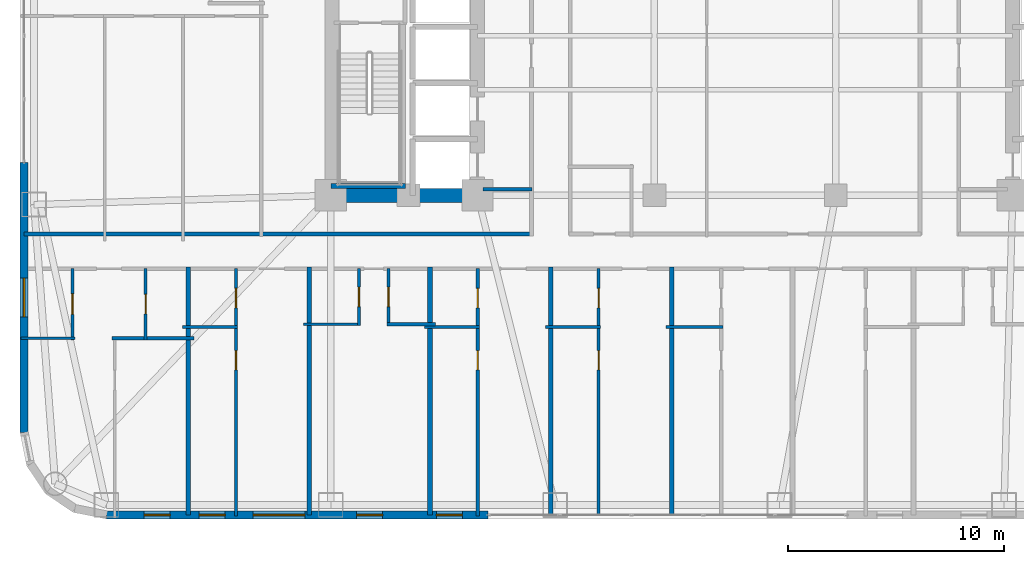
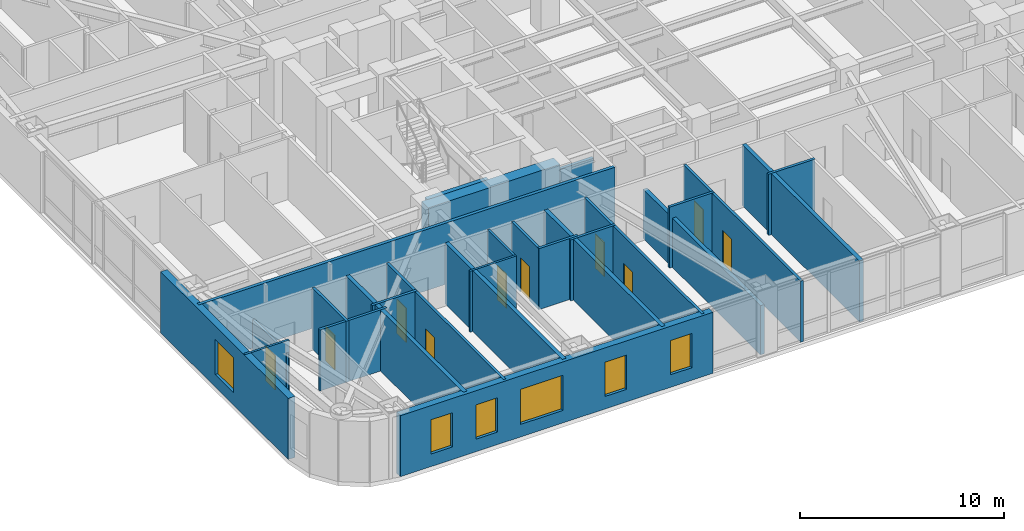
# One storey, part 20 of 28: 29 walls, 10 doors, 6 windows, 16 openings.
"""IFC4 building model written with IfcOpenShell, lengths in metres."""

from ifc_helpers import new_model, si_unit, direction, frame, frame_2d, origin, place, context, subcontext, project, spatial, rectangle, extrude, material, layer, layer_set, type_object, element, fill, save


model = new_model("IFC4")

# Units and contexts
model_context = context("Model", 3, precision=1e-05, world=origin(), true_north=direction((0.0, 1.0)))
body_context = subcontext(model_context, "Body", "Model", "MODEL_VIEW")
ifc_project = project(units=[si_unit("LENGTHUNIT", "METRE"), si_unit("AREAUNIT", "SQUARE_METRE"), si_unit("VOLUMEUNIT", "CUBIC_METRE"), si_unit("PLANEANGLEUNIT", "RADIAN"), si_unit("MASSUNIT", "GRAM", prefix="KILO")], contexts=[model_context])

# Site, building, storey
site_placement = place(None, origin())
site = spatial("IfcSite", under=ifc_project, at=site_placement, CompositionType="ELEMENT")
building_placement = place(site_placement, origin())
building = spatial("IfcBuilding", under=site, at=building_placement, Name="Voryun Gate Residences", CompositionType="ELEMENT")
storey_placement = place(building_placement, frame((0.0, 0.0, 61.10009765625)))
storey = spatial("IfcBuildingStorey", under=building, at=storey_placement, Name="L14", CompositionType="ELEMENT", Elevation=61.10009765625)

# Walls
ifc_material_1 = material(Name="Concrete C60/75", Category="concrete")
ifc_layer_1 = layer(ifc_material_1, 0.64990234375, Name="CW_CORE_650")
ifc_layer_set_1 = layer_set([ifc_layer_1], Name="Concrete C60/75")
wall_type_1 = type_object("IfcWallType", Name="CW_CORE_650", PredefinedType="SHEAR", material=ifc_layer_set_1)
wall_1_placement = place(storey_placement, frame((-19.52490234375, -7.39990234375, 0.0), z_axis=(0.0, 0.0, 1.0), x_axis=(1.0, 0.0, 0.0)))
element("IfcWall", 1, at=wall_1_placement, inside=storey, type_object=wall_type_1, Name="L14 Core shear wall CW-L14-WS", PredefinedType="SHEAR", context=body_context, shape_type="SweptSolid", body=[
    extrude(rectangle(XDim=7.449951171875, YDim=0.64990234375, at=frame_2d((3.72509765625, 0.0))), origin(), (0.0, 0.0, 1.0), 3.64990234375),
])
ifc_material_2 = material(Name="Gypsum acoustic fireboard")
ifc_layer_2 = layer(ifc_material_2, 0.179931640625, Name="W_CORR_RATED_180")
ifc_layer_set_2 = layer_set([ifc_layer_2], Name="Gypsum acoustic fireboard")
wall_type_2 = type_object("IfcWallType", Name="W_CORR_RATED_180", PredefinedType="PARTITIONING", material=ifc_layer_set_2)
wall_2_placement = place(storey_placement, frame((-12.14990234375, -7.1201171875, 0.0), z_axis=(0.0, 0.0, 1.0), x_axis=(1.0, 0.0, 0.0)))
element("IfcWall", 2, at=wall_2_placement, inside=storey, type_object=wall_type_2, Name="Partition wall WP-L14-PLBS-W", PredefinedType="PARTITIONING", context=body_context, shape_type="SweptSolid", body=[
    extrude(rectangle(XDim=2.27001953125, YDim=0.179931640625, at=frame_2d((1.135009765625, 0.0))), origin(), (0.0, 0.0, 1.0), 2.93994140625),
])
wall_3_placement = place(storey_placement, frame((-33.409912109375, -9.18994140625, 0.0), z_axis=(0.0, 0.0, 1.0), x_axis=(1.0, 0.0, 0.0)))
element("IfcWall", 3, at=wall_3_placement, inside=storey, type_object=wall_type_2, Name="Partition wall WP-L14-CWING-WS", PredefinedType="PARTITIONING", context=body_context, shape_type="SweptSolid", body=[
    extrude(rectangle(XDim=23.530029296875, YDim=0.179931640625, at=frame_2d((11.76513671875, 0.0))), origin(), (0.0, 0.0, 1.0), 3.64990234375),
])

# Wall, openings, windows
ifc_material_3 = material(Name="Granite masonry", Category="masonry")
ifc_layer_3 = layer(ifc_material_3, 0.3798828125, Name="W_EXT_GRANITE_380")
ifc_layer_set_3 = layer_set([ifc_layer_3], Name="Granite masonry")
wall_type_3 = type_object("IfcWallType", Name="W_EXT_GRANITE_380", PredefinedType="ELEMENTEDWALL", material=ifc_layer_set_3)
wall_4_placement = place(storey_placement, frame((-11.9140625, -22.2099609375, 0.0), z_axis=(0.0, 0.0, 1.0), x_axis=(-1.0, 0.0, 0.0)))
wall_4 = element("IfcWall", 4, at=wall_4_placement, inside=storey, type_object=wall_type_3, Name="Exterior wall WEXT-L14-01B", PredefinedType="ELEMENTEDWALL", context=body_context, shape_type="SweptSolid", body=[
    extrude(rectangle(XDim=17.667236328125, YDim=0.3798828125, at=frame_2d((8.83349609375, 0.0))), origin(), (0.0, 0.0, 1.0), 3.64990234375),
])
opening_1_placement = place(wall_4_placement, frame((8.483642578125, 0.0, 0.75)))
opening_1 = element("IfcOpeningElement", 5, at=opening_1_placement, cuts=wall_4, Name="Opening WN2", PredefinedType="OPENING", context=body_context, shape_type="SweptSolid", body=[
    extrude(rectangle(XDim=2.39990234375, YDim=2.10009765625, at=frame_2d((1.199951171875, 1.050048828125))), frame((0.0, 0.199951171875, 0.0), z_axis=(0.0, -1.0, 0.0), x_axis=(1.0, 0.0, 0.0)), (0.0, 0.0, 1.0), 0.39990234375),
])
opening_2_placement = place(wall_4_placement, frame((14.731689453125, 0.0, 0.75)))
opening_2 = element("IfcOpeningElement", 6, at=opening_2_placement, cuts=wall_4, Name="Opening WN6", PredefinedType="OPENING", context=body_context, shape_type="SweptSolid", body=[
    extrude(rectangle(XDim=1.199951171875, YDim=2.050048828125, at=frame_2d((0.60009765625, 1.02490234375))), frame((0.0, 0.199951171875, 0.0), z_axis=(0.0, -1.0, 0.0), x_axis=(1.0, 0.0, 0.0)), (0.0, 0.0, 1.0), 0.39990234375),
])
opening_3_placement = place(wall_4_placement, frame((12.180908203125, 0.0, 0.75)))
opening_3 = element("IfcOpeningElement", 7, at=opening_3_placement, cuts=wall_4, Name="Opening WN6", PredefinedType="OPENING", context=body_context, shape_type="SweptSolid", body=[
    extrude(rectangle(XDim=1.199951171875, YDim=2.050048828125, at=frame_2d((0.60009765625, 1.02490234375))), frame((0.0, 0.199951171875, 0.0), z_axis=(0.0, -1.0, 0.0), x_axis=(1.0, 0.0, 0.0)), (0.0, 0.0, 1.0), 0.39990234375),
])
opening_4_placement = place(wall_4_placement, frame((4.885986328125, 0.0, 0.75)))
opening_4 = element("IfcOpeningElement", 8, at=opening_4_placement, cuts=wall_4, Name="Opening WN6", PredefinedType="OPENING", context=body_context, shape_type="SweptSolid", body=[
    extrude(rectangle(XDim=1.199951171875, YDim=2.050048828125, at=frame_2d((0.60009765625, 1.02490234375))), frame((0.0, 0.199951171875, 0.0), z_axis=(0.0, -1.0, 0.0), x_axis=(1.0, 0.0, 0.0)), (0.0, 0.0, 1.0), 0.39990234375),
])
opening_5_placement = place(wall_4_placement, frame((1.18798828125, 0.0, 0.75)))
opening_5 = element("IfcOpeningElement", 9, at=opening_5_placement, cuts=wall_4, Name="Opening WN6", PredefinedType="OPENING", context=body_context, shape_type="SweptSolid", body=[
    extrude(rectangle(XDim=1.199951171875, YDim=2.050048828125, at=frame_2d((0.60009765625, 1.02490234375))), frame((0.0, 0.199951171875, 0.0), z_axis=(0.0, -1.0, 0.0), x_axis=(1.0, 0.0, 0.0)), (0.0, 0.0, 1.0), 0.39990234375),
])
ifc_material_4 = material(Name="Laminated low-E glass", Category="glass")
window_type_1 = type_object("IfcWindowType", Name="WN_POD_SLOT_1200", PartitioningType="SINGLE_PANEL", PredefinedType="WINDOW", material=ifc_material_4)
window_1_placement = place(opening_2_placement, origin())
window_1 = element("IfcWindow", 10, at=window_1_placement, inside=storey, type_object=window_type_1, Name="Window WN-L14-DWFIX-12", OverallHeight=2.050048828125, OverallWidth=1.199951171875, PartitioningType="SINGLE_PANEL", PredefinedType="WINDOW", context=body_context, shape_type="SweptSolid", body=[
    extrude(rectangle(XDim=1.199951171875, YDim=2.050048828125, at=frame_2d((0.60009765625, 1.02490234375))), frame((0.0, 0.030029296875, 0.0), z_axis=(0.0, -1.0, 0.0), x_axis=(1.0, 0.0, 0.0)), (0.0, 0.0, 1.0), 0.06005859375),
])
fill(opening_2, window_1)
window_2_placement = place(opening_3_placement, origin())
window_2 = element("IfcWindow", 11, at=window_2_placement, inside=storey, type_object=window_type_1, Name="Window WN-L14-DWFIX-13", OverallHeight=2.050048828125, OverallWidth=1.199951171875, PartitioningType="SINGLE_PANEL", PredefinedType="WINDOW", context=body_context, shape_type="SweptSolid", body=[
    extrude(rectangle(XDim=1.199951171875, YDim=2.050048828125, at=frame_2d((0.60009765625, 1.02490234375))), frame((0.0, 0.030029296875, 0.0), z_axis=(0.0, -1.0, 0.0), x_axis=(1.0, 0.0, 0.0)), (0.0, 0.0, 1.0), 0.06005859375),
])
fill(opening_3, window_2)
window_3_placement = place(opening_4_placement, origin())
window_3 = element("IfcWindow", 12, at=window_3_placement, inside=storey, type_object=window_type_1, Name="Window WN-L14-DWFIX-14", OverallHeight=2.050048828125, OverallWidth=1.199951171875, PartitioningType="SINGLE_PANEL", PredefinedType="WINDOW", context=body_context, shape_type="SweptSolid", body=[
    extrude(rectangle(XDim=1.199951171875, YDim=2.050048828125, at=frame_2d((0.60009765625, 1.02490234375))), frame((0.0, 0.030029296875, 0.0), z_axis=(0.0, -1.0, 0.0), x_axis=(1.0, 0.0, 0.0)), (0.0, 0.0, 1.0), 0.06005859375),
])
fill(opening_4, window_3)
window_4_placement = place(opening_5_placement, origin())
window_4 = element("IfcWindow", 13, at=window_4_placement, inside=storey, type_object=window_type_1, Name="Window WN-L14-DWFIX-15", OverallHeight=2.050048828125, OverallWidth=1.199951171875, PartitioningType="SINGLE_PANEL", PredefinedType="WINDOW", context=body_context, shape_type="SweptSolid", body=[
    extrude(rectangle(XDim=1.199951171875, YDim=2.050048828125, at=frame_2d((0.60009765625, 1.02490234375))), frame((0.0, 0.030029296875, 0.0), z_axis=(0.0, -1.0, 0.0), x_axis=(1.0, 0.0, 0.0)), (0.0, 0.0, 1.0), 0.06005859375),
])
fill(opening_5, window_4)
ifc_material_5 = material(Name="Laminated low-E glass", Category="glass")
window_type_2 = type_object("IfcWindowType", Name="WN_RES_WIDE_2400", PartitioningType="SINGLE_PANEL", PredefinedType="WINDOW", material=ifc_material_5)
window_5_placement = place(opening_1_placement, origin())
window_5 = element("IfcWindow", 14, at=window_5_placement, inside=storey, type_object=window_type_2, Name="Window WN-WEXT-L14-01B-01", OverallHeight=2.10009765625, OverallWidth=2.39990234375, PartitioningType="SINGLE_PANEL", PredefinedType="WINDOW", context=body_context, shape_type="SweptSolid", body=[
    extrude(rectangle(XDim=2.39990234375, YDim=2.10009765625, at=frame_2d((1.199951171875, 1.050048828125))), frame((0.0, 0.030029296875, 0.0), z_axis=(0.0, -1.0, 0.0), x_axis=(1.0, 0.0, 0.0)), (0.0, 0.0, 1.0), 0.06005859375),
])
fill(opening_1, window_5)

# Wall, opening, window
wall_5_placement = place(storey_placement, frame((-33.409912109375, -18.38134765625, 0.0), z_axis=(0.0, 0.0, 1.0), x_axis=(0.0, 1.0, 0.0)))
wall_5 = element("IfcWall", 15, at=wall_5_placement, inside=storey, type_object=wall_type_3, Name="Exterior wall WEXT-L14-06A", PredefinedType="ELEMENTEDWALL", context=body_context, shape_type="SweptSolid", body=[
    extrude(rectangle(XDim=12.499267578125, YDim=0.3798828125, at=frame_2d((6.24951171875, 0.0))), origin(), (0.0, 0.0, 1.0), 3.64990234375),
])
opening_6_placement = place(wall_5_placement, frame((5.349609375, 0.0, 0.75)))
opening_6 = element("IfcOpeningElement", 16, at=opening_6_placement, cuts=wall_5, Name="Opening WN1", PredefinedType="OPENING", context=body_context, shape_type="SweptSolid", body=[
    extrude(rectangle(XDim=1.800048828125, YDim=2.10009765625, at=frame_2d((0.89990234375, 1.050048828125))), frame((0.0, 0.199951171875, 0.0), z_axis=(0.0, -1.0, 0.0), x_axis=(1.0, 0.0, 0.0)), (0.0, 0.0, 1.0), 0.39990234375),
])
ifc_material_6 = material(Name="Laminated low-E glass", Category="glass")
window_type_3 = type_object("IfcWindowType", Name="WN_RES_PUNCH_1800", PartitioningType="SINGLE_PANEL", PredefinedType="WINDOW", material=ifc_material_6)
window_6_placement = place(opening_6_placement, origin())
window_6 = element("IfcWindow", 17, at=window_6_placement, inside=storey, type_object=window_type_3, Name="Window WN-WEXT-L14-06A-01", OverallHeight=2.10009765625, OverallWidth=1.800048828125, PartitioningType="SINGLE_PANEL", PredefinedType="WINDOW", context=body_context, shape_type="SweptSolid", body=[
    extrude(rectangle(XDim=1.800048828125, YDim=2.10009765625, at=frame_2d((0.89990234375, 1.050048828125))), frame((0.0, 0.030029296875, 0.0), z_axis=(0.0, -1.0, 0.0), x_axis=(1.0, 0.0, 0.0)), (0.0, 0.0, 1.0), 0.06005859375),
])
fill(opening_6, window_6)

# Walls
ifc_material_7 = material(Name="Concrete C40/50", Category="concrete")
ifc_layer_4 = layer(ifc_material_7, 0.219970703125, Name="W_PARTY_ACOUSTIC_220")
ifc_layer_set_4 = layer_set([ifc_layer_4], Name="Concrete C40/50")
wall_type_4 = type_object("IfcWallType", Name="W_PARTY_ACOUSTIC_220", PredefinedType="PARTITIONING", material=ifc_layer_set_4)
for number, where, z_axis, x_axis, name in (
    (18, (-25.800048828125, -22.2099609375, 0.0), (0.0, 0.0, 1.0), (0.0, 1.0, 0.0), "Partition wall WP-L14-SPTY-1"),
    (19, (-20.199951171875, -22.2099609375, 0.0), (0.0, 0.0, 1.0), (0.0, 1.0, 0.0), "Partition wall WP-L14-SPTY-2"),
    (20, (-14.60009765625, -22.2099609375, 0.0), (0.0, 0.0, 1.0), (0.0, 1.0, 0.0), "Partition wall WP-L14-SPTY-3"),
):
    element("IfcWall", number, at=place(storey_placement, frame(where, z_axis=z_axis, x_axis=x_axis)), inside=storey, type_object=wall_type_4, Name=name, PredefinedType="PARTITIONING", context=body_context, shape_type="SweptSolid", body=[
        extrude(rectangle(XDim=11.489990234375, YDim=0.219970703125, at=frame_2d((5.7451171875, 0.0))), origin(), (0.0, 0.0, 1.0), 3.64990234375),
    ])
wall_6_placement = place(storey_placement, frame((-9.0, -22.2099609375, 0.0), z_axis=(0.0, 0.0, 1.0), x_axis=(0.0, 1.0, 0.0)))
element("IfcWall", 21, at=wall_6_placement, inside=storey, type_object=wall_type_4, Name="Partition wall WP-L14-SPTY-4", PredefinedType="PARTITIONING", context=body_context, shape_type="SweptSolid", body=[
    extrude(rectangle(XDim=11.489990234375, YDim=0.219970703125, at=frame_2d((5.7451171875, 0.0))), origin(), (0.0, 0.0, 1.0), 2.93994140625),
])
wall_7_placement = place(storey_placement, frame((-3.39990234375, -22.2099609375, 0.0), z_axis=(0.0, 0.0, 1.0), x_axis=(0.0, 1.0, 0.0)))
element("IfcWall", 22, at=wall_7_placement, inside=storey, type_object=wall_type_4, Name="Partition wall WP-L14-SPTY-5", PredefinedType="PARTITIONING", context=body_context, shape_type="SweptSolid", body=[
    extrude(rectangle(XDim=11.489990234375, YDim=0.219970703125, at=frame_2d((5.7451171875, 0.0))), origin(), (0.0, 0.0, 1.0), 3.64990234375),
])
ifc_material_8 = material(Name="Concrete C50/60", Category="concrete")
ifc_layer_5 = layer(ifc_material_8, 0.25, Name="W_SHAFT_RC250")
ifc_layer_set_5 = layer_set([ifc_layer_5], Name="Concrete C50/60")
wall_type_5 = type_object("IfcWallType", Name="W_SHAFT_RC250", PredefinedType="SOLIDWALL", material=ifc_layer_set_5)
wall_8_placement = place(storey_placement, frame((-19.199951171875, -6.965087890625, 0.0), z_axis=(0.0, 0.0, 1.0), x_axis=(1.0, 0.0, 0.0)))
element("IfcWall", 23, at=wall_8_placement, inside=storey, type_object=wall_type_5, Name="L14 Stair shaft structural wall W-STS", PredefinedType="SOLIDWALL", context=body_context, shape_type="SweptSolid", body=[
    extrude(rectangle(XDim=3.4599609375, YDim=0.25, at=frame_2d((1.72998046875, 0.0))), origin(), (0.0, 0.0, 1.0), 3.64990234375),
])

# Wall, opening, door
ifc_material_9 = material(Name="Gypsum acoustic partition")
ifc_layer_6 = layer(ifc_material_9, 0.125, Name="W_UNIT_PART_125")
ifc_layer_set_6 = layer_set([ifc_layer_6], Name="Gypsum acoustic partition")
wall_type_6 = type_object("IfcWallType", Name="W_UNIT_PART_125", PredefinedType="PARTITIONING", material=ifc_layer_set_6)
wall_9_placement = place(storey_placement, frame((-31.16796875, -14.10009765625, 0.0), z_axis=(0.0, 0.0, 1.0), x_axis=(0.0, 1.0, 0.0)))
wall_9 = element("IfcWall", 24, at=wall_9_placement, inside=storey, type_object=wall_type_6, Name="Partition wall WP-L14-S1-IVK", PredefinedType="PARTITIONING", context=body_context, shape_type="SweptSolid", body=[
    extrude(rectangle(XDim=3.320068359375, YDim=0.125, at=frame_2d((1.66015625, 0.0))), origin(), (0.0, 0.0, 1.0), 2.93994140625),
])
opening_7_placement = place(wall_9_placement, frame((1.18505859375, 0.0, 0.0)))
opening_7 = element("IfcOpeningElement", 25, at=opening_7_placement, cuts=wall_9, Name="Opening D-INT-1", PredefinedType="OPENING", context=body_context, shape_type="SweptSolid", body=[
    extrude(rectangle(XDim=0.949951171875, YDim=2.050048828125, at=frame_2d((0.47509765625, 1.02490234375))), frame((0.0, 0.072509765625, 0.0), z_axis=(0.0, -1.0, 0.0), x_axis=(1.0, 0.0, 0.0)), (0.0, 0.0, 1.0), 0.14501953125),
])
ifc_material_10 = material(Name="Architectural oak veneer")
door_type_1 = type_object("IfcDoorType", Name="DR_INT_ROOM_950", OperationType="NOTDEFINED", PredefinedType="DOOR", material=ifc_material_10)
door_1_placement = place(opening_7_placement, origin())
door_1 = element("IfcDoor", 26, at=door_1_placement, inside=storey, type_object=door_type_1, Name="Door DR-L14-S1-DK", OperationType="SINGLE_SWING_LEFT", OverallHeight=2.050048828125, OverallWidth=0.949951171875, PredefinedType="DOOR", context=body_context, shape_type="SweptSolid", body=[
    extrude(rectangle(XDim=0.949951171875, YDim=2.050048828125, at=frame_2d((0.47509765625, 1.02490234375))), frame((0.0, 0.02490234375, 0.0), z_axis=(0.0, -1.0, 0.0), x_axis=(1.0, 0.0, 0.0)), (0.0, 0.0, 1.0), 0.050048828125),
])
fill(opening_7, door_1)

# Wall
wall_10_placement = place(storey_placement, frame((-33.56005859375, -14.02001953125, 0.0), z_axis=(0.0, 0.0, 1.0), x_axis=(1.0, 0.0, 0.0)))
element("IfcWall", 27, at=wall_10_placement, inside=storey, type_object=wall_type_6, Name="Partition wall WP-L14-S1-HZK", PredefinedType="PARTITIONING", context=body_context, shape_type="SweptSolid", body=[
    extrude(rectangle(XDim=2.511962890625, YDim=0.125, at=frame_2d((1.255859375, 0.0))), origin(), (0.0, 0.0, 1.0), 3.64990234375),
])

# Wall, opening, door
wall_11_placement = place(storey_placement, frame((-17.889892578125, -13.429931640625, 0.0), z_axis=(0.0, 0.0, 1.0), x_axis=(0.0, 1.0, 0.0)))
wall_11 = element("IfcWall", 28, at=wall_11_placement, inside=storey, type_object=wall_type_6, Name="Partition wall WP-L14-S3-CVK", PredefinedType="PARTITIONING", context=body_context, shape_type="SweptSolid", body=[
    extrude(rectangle(XDim=2.64990234375, YDim=0.125, at=frame_2d((1.324951171875, 0.0))), origin(), (0.0, 0.0, 1.0), 3.64990234375),
])
opening_8_placement = place(wall_11_placement, frame((0.875, 0.0, 0.0)))
opening_8 = element("IfcOpeningElement", 29, at=opening_8_placement, cuts=wall_11, Name="Opening D-INT-2", PredefinedType="OPENING", context=body_context, shape_type="SweptSolid", body=[
    extrude(rectangle(XDim=0.89990234375, YDim=2.050048828125, at=frame_2d((0.449951171875, 1.02490234375))), frame((0.0, 0.072509765625, 0.0), z_axis=(0.0, -1.0, 0.0), x_axis=(1.0, 0.0, 0.0)), (0.0, 0.0, 1.0), 0.14501953125),
])
ifc_material_11 = material(Name="Architectural oak veneer")
door_type_2 = type_object("IfcDoorType", Name="DR_INT_BATH_900", OperationType="NOTDEFINED", PredefinedType="DOOR", material=ifc_material_11)
door_2_placement = place(opening_8_placement, origin())
door_2 = element("IfcDoor", 30, at=door_2_placement, inside=storey, type_object=door_type_2, Name="Door DR-L14-S3-DK", OperationType="SINGLE_SWING_LEFT", OverallHeight=2.050048828125, OverallWidth=0.89990234375, PredefinedType="DOOR", context=body_context, shape_type="SweptSolid", body=[
    extrude(rectangle(XDim=0.89990234375, YDim=2.050048828125, at=frame_2d((0.449951171875, 1.02490234375))), frame((0.0, 0.02490234375, 0.0), z_axis=(0.0, -1.0, 0.0), x_axis=(1.0, 0.0, 0.0)), (0.0, 0.0, 1.0), 0.050048828125),
])
fill(opening_8, door_2)

# Walls
wall_12_placement = place(storey_placement, frame((-20.4599609375, -13.3701171875, 0.0), z_axis=(0.0, 0.0, 1.0), x_axis=(1.0, 0.0, 0.0)))
element("IfcWall", 31, at=wall_12_placement, inside=storey, type_object=wall_type_6, Name="Partition wall WP-L14-S3-CHK", PredefinedType="PARTITIONING", context=body_context, shape_type="SweptSolid", body=[
    extrude(rectangle(XDim=2.6298828125, YDim=0.125, at=frame_2d((1.31494140625, 0.0))), origin(), (0.0, 0.0, 1.0), 3.64990234375),
])
ifc_material_12 = material(Name="Gypsum moisture-resistant partition")
ifc_layer_7 = layer(ifc_material_12, 0.14990234375, Name="W_WET_PLUMB_150")
ifc_layer_set_7 = layer_set([ifc_layer_7], Name="Gypsum moisture-resistant partition")
wall_type_7 = type_object("IfcWallType", Name="W_WET_PLUMB_150", PredefinedType="PLUMBINGWALL", material=ifc_layer_set_7)
wall_13_placement = place(storey_placement, frame((-29.330078125, -14.02001953125, 0.0), z_axis=(0.0, 0.0, 1.0), x_axis=(1.0, 0.0, 0.0)))
element("IfcWall", 32, at=wall_13_placement, inside=storey, type_object=wall_type_7, Name="Partition wall WP-L14-S1-HZB", PredefinedType="PLUMBINGWALL", context=body_context, shape_type="SweptSolid", body=[
    extrude(rectangle(XDim=3.7900390625, YDim=0.14990234375, at=frame_2d((1.89501953125, 0.0))), origin(), (0.0, 0.0, 1.0), 3.64990234375),
])

# Wall, opening, door
wall_14_placement = place(storey_placement, frame((-27.780029296875, -14.10009765625, 0.0), z_axis=(0.0, 0.0, 1.0), x_axis=(0.0, 1.0, 0.0)))
wall_14 = element("IfcWall", 33, at=wall_14_placement, inside=storey, type_object=wall_type_7, Name="Partition wall WP-L14-S1-IVB", PredefinedType="PLUMBINGWALL", context=body_context, shape_type="SweptSolid", body=[
    extrude(rectangle(XDim=3.320068359375, YDim=0.14990234375, at=frame_2d((1.66015625, 0.0))), origin(), (0.0, 0.0, 1.0), 3.64990234375),
])
opening_9_placement = place(wall_14_placement, frame((1.2099609375, 0.0, 0.0)))
opening_9 = element("IfcOpeningElement", 34, at=opening_9_placement, cuts=wall_14, Name="Opening D-INT-2", PredefinedType="OPENING", context=body_context, shape_type="SweptSolid", body=[
    extrude(rectangle(XDim=0.89990234375, YDim=2.050048828125, at=frame_2d((0.449951171875, 1.02490234375))), frame((0.0, 0.0849609375, 0.0), z_axis=(0.0, -1.0, 0.0), x_axis=(1.0, 0.0, 0.0)), (0.0, 0.0, 1.0), 0.169921875),
])
door_3_placement = place(opening_9_placement, origin())
door_3 = element("IfcDoor", 35, at=door_3_placement, inside=storey, type_object=door_type_2, Name="Door DR-L14-S1-DB", OperationType="SINGLE_SWING_RIGHT", OverallHeight=2.050048828125, OverallWidth=0.89990234375, PredefinedType="DOOR", context=body_context, shape_type="SweptSolid", body=[
    extrude(rectangle(XDim=0.89990234375, YDim=2.050048828125, at=frame_2d((0.449951171875, 1.02490234375))), frame((0.0, 0.02490234375, 0.0), z_axis=(0.0, -1.0, 0.0), x_axis=(1.0, 0.0, 0.0)), (0.0, 0.0, 1.0), 0.050048828125),
])
fill(opening_9, door_3)

# Wall
wall_15_placement = place(storey_placement, frame((-26.06005859375, -13.5, 0.0), z_axis=(0.0, 0.0, 1.0), x_axis=(1.0, 0.0, 0.0)))
element("IfcWall", 36, at=wall_15_placement, inside=storey, type_object=wall_type_7, Name="Partition wall WP-L14-S2-SKB", PredefinedType="PLUMBINGWALL", context=body_context, shape_type="SweptSolid", body=[
    extrude(rectangle(XDim=2.550048828125, YDim=0.14990234375, at=frame_2d((1.27490234375, 0.0))), origin(), (0.0, 0.0, 1.0), 3.64990234375),
])

# Wall, opening, door
wall_16_placement = place(storey_placement, frame((-23.590087890625, -22.257568359375, 0.0), z_axis=(0.0, 0.0, 1.0), x_axis=(0.0, 1.0, 0.0)))
wall_16 = element("IfcWall", 37, at=wall_16_placement, inside=storey, type_object=wall_type_7, Name="Partition wall WP-L14-S2-SVT1", PredefinedType="PLUMBINGWALL", context=body_context, shape_type="SweptSolid", body=[
    extrude(rectangle(XDim=8.797607421875, YDim=0.14990234375, at=frame_2d((4.39892578125, 0.0))), origin(), (0.0, 0.0, 1.0), 3.64990234375),
])
opening_10_placement = place(wall_16_placement, frame((6.763916015625, 0.0, 0.0)))
opening_10 = element("IfcOpeningElement", 38, at=opening_10_placement, cuts=wall_16, Name="Opening D-INT-2", PredefinedType="OPENING", context=body_context, shape_type="SweptSolid", body=[
    extrude(rectangle(XDim=0.89990234375, YDim=2.050048828125, at=frame_2d((0.449951171875, 1.02490234375))), frame((0.0, 0.0849609375, 0.0), z_axis=(0.0, -1.0, 0.0), x_axis=(1.0, 0.0, 0.0)), (0.0, 0.0, 1.0), 0.169921875),
])
door_4_placement = place(opening_10_placement, origin())
door_4 = element("IfcDoor", 39, at=door_4_placement, inside=storey, type_object=door_type_2, Name="Door DR-L14-S2-DK", OperationType="SINGLE_SWING_LEFT", OverallHeight=2.050048828125, OverallWidth=0.89990234375, PredefinedType="DOOR", context=body_context, shape_type="SweptSolid", body=[
    extrude(rectangle(XDim=0.89990234375, YDim=2.050048828125, at=frame_2d((0.449951171875, 1.02490234375))), frame((0.0, 0.02490234375, 0.0), z_axis=(0.0, -1.0, 0.0), x_axis=(1.0, 0.0, 0.0)), (0.0, 0.0, 1.0), 0.050048828125),
])
fill(opening_10, door_4)

wall_17_placement = place(storey_placement, frame((-23.590087890625, -13.5400390625, 0.0), z_axis=(0.0, 0.0, 1.0), x_axis=(0.0, 1.0, 0.0)))
wall_17 = element("IfcWall", 40, at=wall_17_placement, inside=storey, type_object=wall_type_7, Name="Partition wall WP-L14-S2-SVT2", PredefinedType="PLUMBINGWALL", context=body_context, shape_type="SweptSolid", body=[
    extrude(rectangle(XDim=2.760009765625, YDim=0.14990234375, at=frame_2d((1.3798828125, 0.0))), origin(), (0.0, 0.0, 1.0), 3.64990234375),
])
opening_11_placement = place(wall_17_placement, frame((0.929931640625, 0.0, 0.0)))
opening_11 = element("IfcOpeningElement", 41, at=opening_11_placement, cuts=wall_17, Name="Opening D-INT-2", PredefinedType="OPENING", context=body_context, shape_type="SweptSolid", body=[
    extrude(rectangle(XDim=0.89990234375, YDim=2.050048828125, at=frame_2d((0.449951171875, 1.02490234375))), frame((0.0, 0.0849609375, 0.0), z_axis=(0.0, -1.0, 0.0), x_axis=(1.0, 0.0, 0.0)), (0.0, 0.0, 1.0), 0.169921875),
])
door_5_placement = place(opening_11_placement, origin())
door_5 = element("IfcDoor", 42, at=door_5_placement, inside=storey, type_object=door_type_2, Name="Door DR-L14-S2-DB", OperationType="SINGLE_SWING_RIGHT", OverallHeight=2.050048828125, OverallWidth=0.89990234375, PredefinedType="DOOR", context=body_context, shape_type="SweptSolid", body=[
    extrude(rectangle(XDim=0.89990234375, YDim=2.050048828125, at=frame_2d((0.449951171875, 1.02490234375))), frame((0.0, 0.02490234375, 0.0), z_axis=(0.0, -1.0, 0.0), x_axis=(1.0, 0.0, 0.0)), (0.0, 0.0, 1.0), 0.050048828125),
])
fill(opening_11, door_5)

wall_18_placement = place(storey_placement, frame((-16.52294921875, -13.429931640625, 0.0), z_axis=(0.0, 0.0, 1.0), x_axis=(0.0, 1.0, 0.0)))
wall_18 = element("IfcWall", 43, at=wall_18_placement, inside=storey, type_object=wall_type_7, Name="Partition wall WP-L14-S3-CVB", PredefinedType="PLUMBINGWALL", context=body_context, shape_type="SweptSolid", body=[
    extrude(rectangle(XDim=2.64990234375, YDim=0.14990234375, at=frame_2d((1.324951171875, 0.0))), origin(), (0.0, 0.0, 1.0), 3.64990234375),
])
opening_12_placement = place(wall_18_placement, frame((0.875, 0.0, 0.0)))
opening_12 = element("IfcOpeningElement", 44, at=opening_12_placement, cuts=wall_18, Name="Opening D-INT-2", PredefinedType="OPENING", context=body_context, shape_type="SweptSolid", body=[
    extrude(rectangle(XDim=0.89990234375, YDim=2.050048828125, at=frame_2d((0.449951171875, 1.02490234375))), frame((0.0, 0.0849609375, 0.0), z_axis=(0.0, -1.0, 0.0), x_axis=(1.0, 0.0, 0.0)), (0.0, 0.0, 1.0), 0.169921875),
])
door_6_placement = place(opening_12_placement, origin())
door_6 = element("IfcDoor", 45, at=door_6_placement, inside=storey, type_object=door_type_2, Name="Door DR-L14-S3-DB", OperationType="SINGLE_SWING_RIGHT", OverallHeight=2.050048828125, OverallWidth=0.89990234375, PredefinedType="DOOR", context=body_context, shape_type="SweptSolid", body=[
    extrude(rectangle(XDim=0.89990234375, YDim=2.050048828125, at=frame_2d((0.449951171875, 1.02490234375))), frame((0.0, 0.02490234375, 0.0), z_axis=(0.0, -1.0, 0.0), x_axis=(1.0, 0.0, 0.0)), (0.0, 0.0, 1.0), 0.050048828125),
])
fill(opening_12, door_6)

# Walls
wall_19_placement = place(storey_placement, frame((-16.5830078125, -13.3701171875, 0.0), z_axis=(0.0, 0.0, 1.0), x_axis=(1.0, 0.0, 0.0)))
element("IfcWall", 46, at=wall_19_placement, inside=storey, type_object=wall_type_7, Name="Partition wall WP-L14-S3-CHB", PredefinedType="PLUMBINGWALL", context=body_context, shape_type="SweptSolid", body=[
    extrude(rectangle(XDim=2.242919921875, YDim=0.14990234375, at=frame_2d((1.12158203125, 0.0))), origin(), (0.0, 0.0, 1.0), 3.64990234375),
])
wall_20_placement = place(storey_placement, frame((-14.860107421875, -13.5, 0.0), z_axis=(0.0, 0.0, 1.0), x_axis=(1.0, 0.0, 0.0)))
element("IfcWall", 47, at=wall_20_placement, inside=storey, type_object=wall_type_7, Name="Partition wall WP-L14-S4-SKB", PredefinedType="PLUMBINGWALL", context=body_context, shape_type="SweptSolid", body=[
    extrude(rectangle(XDim=2.550048828125, YDim=0.14990234375, at=frame_2d((1.27490234375, 0.0))), origin(), (0.0, 0.0, 1.0), 3.64990234375),
])

# Wall, opening, door
wall_21_placement = place(storey_placement, frame((-12.389892578125, -22.257568359375, 0.0), z_axis=(0.0, 0.0, 1.0), x_axis=(0.0, 1.0, 0.0)))
wall_21 = element("IfcWall", 48, at=wall_21_placement, inside=storey, type_object=wall_type_7, Name="Partition wall WP-L14-S4-SVT1", PredefinedType="PLUMBINGWALL", context=body_context, shape_type="SweptSolid", body=[
    extrude(rectangle(XDim=8.797607421875, YDim=0.14990234375, at=frame_2d((4.39892578125, 0.0))), origin(), (0.0, 0.0, 1.0), 3.64990234375),
])
opening_13_placement = place(wall_21_placement, frame((6.763916015625, 0.0, 0.0)))
opening_13 = element("IfcOpeningElement", 49, at=opening_13_placement, cuts=wall_21, Name="Opening D-INT-2", PredefinedType="OPENING", context=body_context, shape_type="SweptSolid", body=[
    extrude(rectangle(XDim=0.89990234375, YDim=2.050048828125, at=frame_2d((0.449951171875, 1.02490234375))), frame((0.0, 0.0849609375, 0.0), z_axis=(0.0, -1.0, 0.0), x_axis=(1.0, 0.0, 0.0)), (0.0, 0.0, 1.0), 0.169921875),
])
door_7_placement = place(opening_13_placement, origin())
door_7 = element("IfcDoor", 50, at=door_7_placement, inside=storey, type_object=door_type_2, Name="Door DR-L14-S4-DK", OperationType="SINGLE_SWING_LEFT", OverallHeight=2.050048828125, OverallWidth=0.89990234375, PredefinedType="DOOR", context=body_context, shape_type="SweptSolid", body=[
    extrude(rectangle(XDim=0.89990234375, YDim=2.050048828125, at=frame_2d((0.449951171875, 1.02490234375))), frame((0.0, 0.02490234375, 0.0), z_axis=(0.0, -1.0, 0.0), x_axis=(1.0, 0.0, 0.0)), (0.0, 0.0, 1.0), 0.050048828125),
])
fill(opening_13, door_7)

wall_22_placement = place(storey_placement, frame((-12.389892578125, -13.5400390625, 0.0), z_axis=(0.0, 0.0, 1.0), x_axis=(0.0, 1.0, 0.0)))
wall_22 = element("IfcWall", 51, at=wall_22_placement, inside=storey, type_object=wall_type_7, Name="Partition wall WP-L14-S4-SVT2", PredefinedType="PLUMBINGWALL", context=body_context, shape_type="SweptSolid", body=[
    extrude(rectangle(XDim=2.760009765625, YDim=0.14990234375, at=frame_2d((1.3798828125, 0.0))), origin(), (0.0, 0.0, 1.0), 3.64990234375),
])
opening_14_placement = place(wall_22_placement, frame((0.929931640625, 0.0, 0.0)))
opening_14 = element("IfcOpeningElement", 52, at=opening_14_placement, cuts=wall_22, Name="Opening D-INT-2", PredefinedType="OPENING", context=body_context, shape_type="SweptSolid", body=[
    extrude(rectangle(XDim=0.89990234375, YDim=2.050048828125, at=frame_2d((0.449951171875, 1.02490234375))), frame((0.0, 0.0849609375, 0.0), z_axis=(0.0, -1.0, 0.0), x_axis=(1.0, 0.0, 0.0)), (0.0, 0.0, 1.0), 0.169921875),
])
door_8_placement = place(opening_14_placement, origin())
door_8 = element("IfcDoor", 53, at=door_8_placement, inside=storey, type_object=door_type_2, Name="Door DR-L14-S4-DB", OperationType="SINGLE_SWING_RIGHT", OverallHeight=2.050048828125, OverallWidth=0.89990234375, PredefinedType="DOOR", context=body_context, shape_type="SweptSolid", body=[
    extrude(rectangle(XDim=0.89990234375, YDim=2.050048828125, at=frame_2d((0.449951171875, 1.02490234375))), frame((0.0, 0.02490234375, 0.0), z_axis=(0.0, -1.0, 0.0), x_axis=(1.0, 0.0, 0.0)), (0.0, 0.0, 1.0), 0.050048828125),
])
fill(opening_14, door_8)

# Wall
wall_23_placement = place(storey_placement, frame((-9.260009765625, -13.5, 0.0), z_axis=(0.0, 0.0, 1.0), x_axis=(1.0, 0.0, 0.0)))
element("IfcWall", 54, at=wall_23_placement, inside=storey, type_object=wall_type_7, Name="Partition wall WP-L14-S5-SKB", PredefinedType="PLUMBINGWALL", context=body_context, shape_type="SweptSolid", body=[
    extrude(rectangle(XDim=2.550048828125, YDim=0.14990234375, at=frame_2d((1.27490234375, 0.0))), origin(), (0.0, 0.0, 1.0), 3.64990234375),
])

# Wall, opening, door
wall_24_placement = place(storey_placement, frame((-6.7900390625, -22.257568359375, 0.0), z_axis=(0.0, 0.0, 1.0), x_axis=(0.0, 1.0, 0.0)))
wall_24 = element("IfcWall", 55, at=wall_24_placement, inside=storey, type_object=wall_type_7, Name="Partition wall WP-L14-S5-SVT1", PredefinedType="PLUMBINGWALL", context=body_context, shape_type="SweptSolid", body=[
    extrude(rectangle(XDim=8.797607421875, YDim=0.14990234375, at=frame_2d((4.39892578125, 0.0))), origin(), (0.0, 0.0, 1.0), 3.64990234375),
])
opening_15_placement = place(wall_24_placement, frame((6.763916015625, 0.0, 0.0)))
opening_15 = element("IfcOpeningElement", 56, at=opening_15_placement, cuts=wall_24, Name="Opening D-INT-2", PredefinedType="OPENING", context=body_context, shape_type="SweptSolid", body=[
    extrude(rectangle(XDim=0.89990234375, YDim=2.050048828125, at=frame_2d((0.449951171875, 1.02490234375))), frame((0.0, 0.0849609375, 0.0), z_axis=(0.0, -1.0, 0.0), x_axis=(1.0, 0.0, 0.0)), (0.0, 0.0, 1.0), 0.169921875),
])
door_9_placement = place(opening_15_placement, origin())
door_9 = element("IfcDoor", 57, at=door_9_placement, inside=storey, type_object=door_type_2, Name="Door DR-L14-S5-DK", OperationType="SINGLE_SWING_LEFT", OverallHeight=2.050048828125, OverallWidth=0.89990234375, PredefinedType="DOOR", context=body_context, shape_type="SweptSolid", body=[
    extrude(rectangle(XDim=0.89990234375, YDim=2.050048828125, at=frame_2d((0.449951171875, 1.02490234375))), frame((0.0, 0.02490234375, 0.0), z_axis=(0.0, -1.0, 0.0), x_axis=(1.0, 0.0, 0.0)), (0.0, 0.0, 1.0), 0.050048828125),
])
fill(opening_15, door_9)

wall_25_placement = place(storey_placement, frame((-6.7900390625, -13.5400390625, 0.0), z_axis=(0.0, 0.0, 1.0), x_axis=(0.0, 1.0, 0.0)))
wall_25 = element("IfcWall", 58, at=wall_25_placement, inside=storey, type_object=wall_type_7, Name="Partition wall WP-L14-S5-SVT2", PredefinedType="PLUMBINGWALL", context=body_context, shape_type="SweptSolid", body=[
    extrude(rectangle(XDim=2.760009765625, YDim=0.14990234375, at=frame_2d((1.3798828125, 0.0))), origin(), (0.0, 0.0, 1.0), 3.64990234375),
])
opening_16_placement = place(wall_25_placement, frame((0.929931640625, 0.0, 0.0)))
opening_16 = element("IfcOpeningElement", 59, at=opening_16_placement, cuts=wall_25, Name="Opening D-INT-2", PredefinedType="OPENING", context=body_context, shape_type="SweptSolid", body=[
    extrude(rectangle(XDim=0.89990234375, YDim=2.050048828125, at=frame_2d((0.449951171875, 1.02490234375))), frame((0.0, 0.0849609375, 0.0), z_axis=(0.0, -1.0, 0.0), x_axis=(1.0, 0.0, 0.0)), (0.0, 0.0, 1.0), 0.169921875),
])
door_10_placement = place(opening_16_placement, origin())
door_10 = element("IfcDoor", 60, at=door_10_placement, inside=storey, type_object=door_type_2, Name="Door DR-L14-S5-DB", OperationType="SINGLE_SWING_RIGHT", OverallHeight=2.050048828125, OverallWidth=0.89990234375, PredefinedType="DOOR", context=body_context, shape_type="SweptSolid", body=[
    extrude(rectangle(XDim=0.89990234375, YDim=2.050048828125, at=frame_2d((0.449951171875, 1.02490234375))), frame((0.0, 0.02490234375, 0.0), z_axis=(0.0, -1.0, 0.0), x_axis=(1.0, 0.0, 0.0)), (0.0, 0.0, 1.0), 0.050048828125),
])
fill(opening_16, door_10)

# Wall
wall_26_placement = place(storey_placement, frame((-3.659912109375, -13.5, 0.0), z_axis=(0.0, 0.0, 1.0), x_axis=(1.0, 0.0, 0.0)))
element("IfcWall", 61, at=wall_26_placement, inside=storey, type_object=wall_type_7, Name="Partition wall WP-L14-S6-SKB", PredefinedType="PLUMBINGWALL", context=body_context, shape_type="SweptSolid", body=[
    extrude(rectangle(XDim=2.6298828125, YDim=0.14990234375, at=frame_2d((1.31494140625, 0.0))), origin(), (0.0, 0.0, 1.0), 3.64990234375),
])

save(model, "model.ifc")
